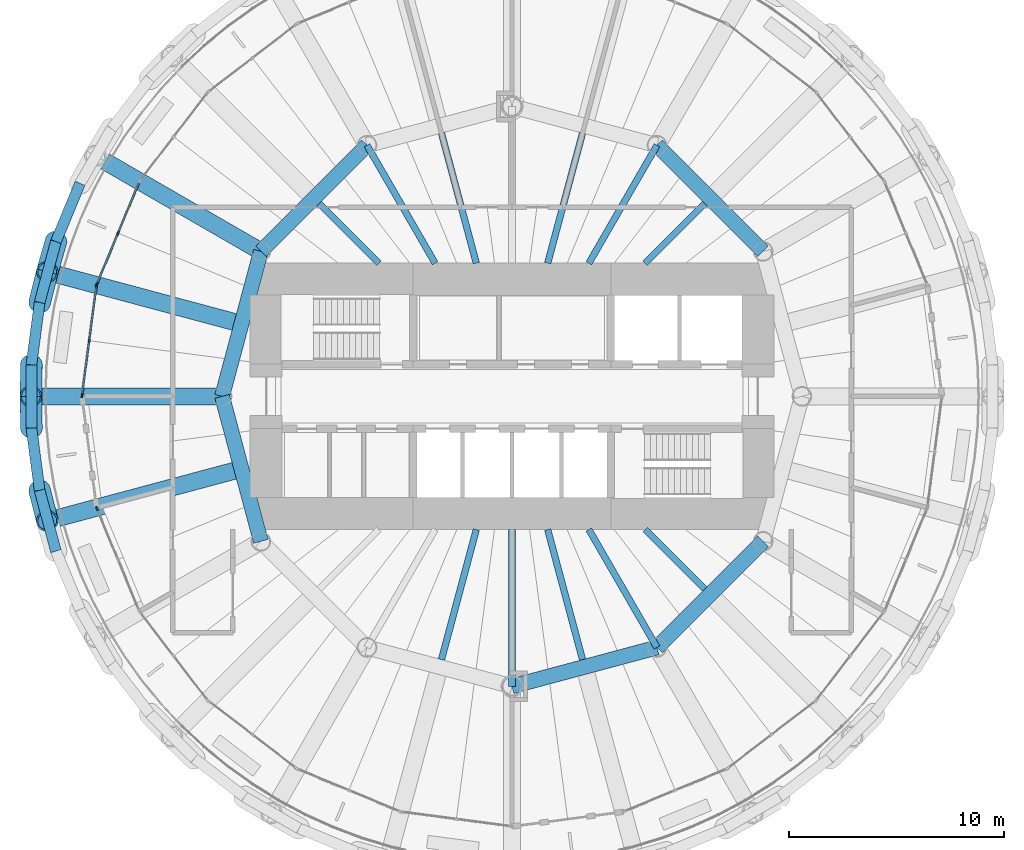
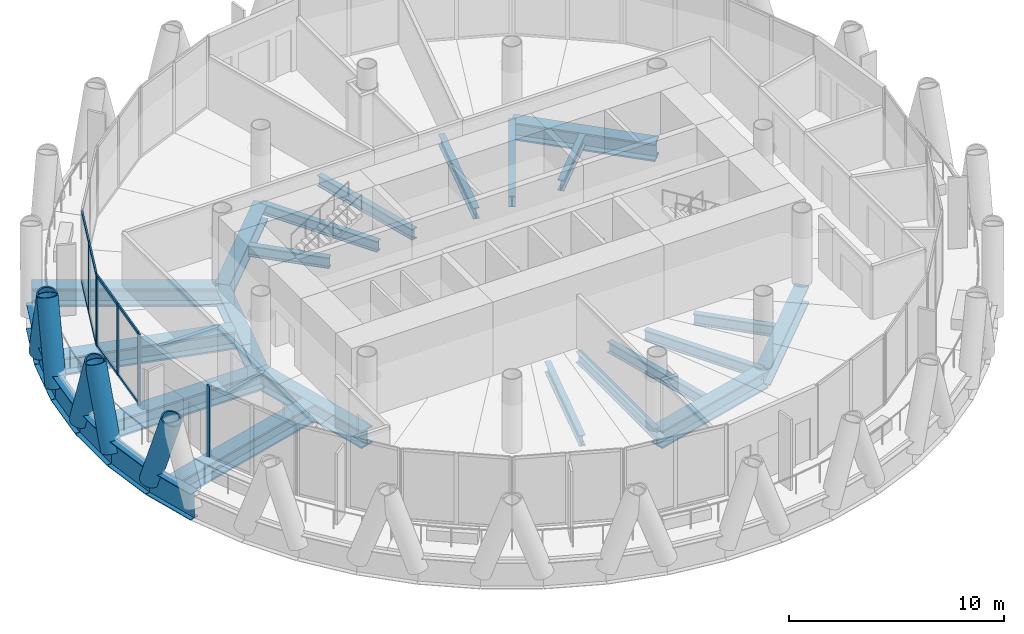
# One storey, part 3 of 14: 27 beams, 19 members, 3 elements without a shape of their own.
"""IFC4 building model written with IfcOpenShell, lengths in metres."""

from ifc_helpers import new_model, si_unit, direction, frame, origin, origin_2d, place, context, subcontext, project, spatial, rectangle, hollow_circle, i_section, extrude, material, material_profile, profile_set, type_object, element, aggregate, save


model = new_model("IFC4")

# Units and contexts
model_context = context("Model", 3, precision=1e-05, world=origin(), true_north=direction((0.0, 1.0)))
body_context = subcontext(model_context, "Body", "Model", "MODEL_VIEW")
ifc_project = project(units=[si_unit("LENGTHUNIT", "METRE"), si_unit("AREAUNIT", "SQUARE_METRE"), si_unit("VOLUMEUNIT", "CUBIC_METRE"), si_unit("PLANEANGLEUNIT", "RADIAN"), si_unit("MASSUNIT", "GRAM", prefix="KILO")], contexts=[model_context])

# Site, building, storey
site_placement = place(None, origin())
site = spatial("IfcSite", under=ifc_project, at=site_placement, CompositionType="ELEMENT")
building_placement = place(site_placement, origin())
building = spatial("IfcBuilding", under=site, at=building_placement, Name="Qaws Media Tower", CompositionType="ELEMENT")
storey_placement = place(building_placement, frame((0.0, 0.0, 240.199951171875)))
storey = spatial("IfcBuildingStorey", under=building, at=storey_placement, Name="L55", CompositionType="ELEMENT", Elevation=240.199951171875)

# Curtain wall, members
ifc_material_1 = material(Name="Aluminium and clear glass", Category="aluminium")
curtain_wall_type = type_object("IfcCurtainWallType", Name="Unitised curtain wall CW-C", PredefinedType="NOTDEFINED", material=ifc_material_1)
curtain_wall_1_placement = place(storey_placement, origin())
curtain_wall_1 = element("IfcCurtainWall", 1, at=curtain_wall_1_placement, inside=storey, type_object=curtain_wall_type, Name="CWC curtain wall L55-11", PredefinedType="NOTDEFINED")
ifc_material_2 = material(Name="Aluminium mullion", Category="aluminium")
ifc_material_profile_1 = material_profile(ifc_material_2, rectangle(XDim=0.080078125, YDim=0.199951171875, at=origin_2d()), Name="80x200")
ifc_profile_set_1 = profile_set([ifc_material_profile_1], Name="Aluminium mullion")
member_type_1 = type_object("IfcMemberType", Name="Curtain wall mullion 80x200", PredefinedType="MULLION", material=ifc_profile_set_1)
member_1_placement = place(storey_placement, frame((41.657470703125, 57.59765625, 0.0), z_axis=(0.0, 0.0, 1.0), x_axis=(0.923879540446, -0.382683413209, 0.0)))
member_1 = element("IfcMember", 2, at=member_1_placement, type_object=member_type_1, Name="CWC mullion 2", PredefinedType="MULLION", context=body_context, shape_type="SweptSolid", body=[
    extrude(rectangle(XDim=0.080078125, YDim=0.199951171875, at=origin_2d()), origin(), (0.0, 0.0, 1.0), 4.0400390625),
])
member_2_placement = place(storey_placement, frame((40.672607421875, 55.2197265625, 0.0), z_axis=(0.0, 0.0, 1.0), x_axis=(0.923879540446, -0.382683413209, 0.0)))
member_2 = element("IfcMember", 3, at=member_2_placement, type_object=member_type_1, Name="CWC mullion 3", PredefinedType="MULLION", context=body_context, shape_type="SweptSolid", body=[
    extrude(rectangle(XDim=0.080078125, YDim=0.199951171875, at=origin_2d()), origin(), (0.0, 0.0, 1.0), 4.0400390625),
])

curtain_wall_2_placement = place(storey_placement, origin())
curtain_wall_2 = element("IfcCurtainWall", 4, at=curtain_wall_2_placement, inside=storey, type_object=curtain_wall_type, Name="CWC curtain wall L55-12", PredefinedType="NOTDEFINED")
member_3_placement = place(storey_placement, frame((40.652099609375, 55.143310546875, 0.0), z_axis=(0.0, 0.0, 1.0), x_axis=(0.991444868274, -0.130526139806, 0.0)))
member_3 = element("IfcMember", 5, at=member_3_placement, type_object=member_type_1, Name="CWC mullion 1", PredefinedType="MULLION", context=body_context, shape_type="SweptSolid", body=[
    extrude(rectangle(XDim=0.080078125, YDim=0.199951171875, at=origin_2d()), origin(), (0.0, 0.0, 1.0), 4.0400390625),
])
member_4_placement = place(storey_placement, frame((40.316162109375, 52.59130859375, 0.0), z_axis=(0.0, 0.0, 1.0), x_axis=(0.991444868274, -0.130526139806, 0.0)))
member_4 = element("IfcMember", 6, at=member_4_placement, type_object=member_type_1, Name="CWC mullion 2", PredefinedType="MULLION", context=body_context, shape_type="SweptSolid", body=[
    extrude(rectangle(XDim=0.080078125, YDim=0.199951171875, at=origin_2d()), origin(), (0.0, 0.0, 1.0), 4.0400390625),
])
member_5_placement = place(storey_placement, frame((39.980224609375, 50.03955078125, 0.0), z_axis=(0.0, 0.0, 1.0), x_axis=(0.991444868274, -0.130526139806, 0.0)))
member_5 = element("IfcMember", 7, at=member_5_placement, type_object=member_type_1, Name="CWC mullion 3", PredefinedType="MULLION", context=body_context, shape_type="SweptSolid", body=[
    extrude(rectangle(XDim=0.080078125, YDim=0.199951171875, at=origin_2d()), origin(), (0.0, 0.0, 1.0), 4.0400390625),
])

# Curtain wall, member
curtain_wall_3_placement = place(storey_placement, origin())
curtain_wall_3 = element("IfcCurtainWall", 8, at=curtain_wall_3_placement, inside=storey, type_object=curtain_wall_type, Name="CWC curtain wall L55-14", PredefinedType="NOTDEFINED")
member_6_placement = place(storey_placement, frame((40.672607421875, 44.7802734375, 0.0), z_axis=(0.0, 0.0, 1.0), x_axis=(0.923879540446, 0.382683413209, 0.0)))
member_6 = element("IfcMember", 9, at=member_6_placement, type_object=member_type_1, Name="CWC mullion 1", PredefinedType="MULLION", context=body_context, shape_type="SweptSolid", body=[
    extrude(rectangle(XDim=0.080078125, YDim=0.199951171875, at=origin_2d()), origin(), (0.0, 0.0, 1.0), 4.0400390625),
])
aggregate(curtain_wall_3, [member_6])

# Member
ifc_material_3 = material(Name="Aluminium transom", Category="aluminium")
ifc_material_profile_2 = material_profile(ifc_material_3, rectangle(XDim=0.080078125, YDim=0.159912109375, at=origin_2d()), Name="80x160")
ifc_profile_set_2 = profile_set([ifc_material_profile_2], Name="Aluminium transom")
member_type_2 = type_object("IfcMemberType", Name="Curtain wall transom 80x160", PredefinedType="USERDEFINED", material=ifc_profile_set_2)
member_7_placement = place(storey_placement, frame((42.627197265625, 59.9384765625, 0.0400390625), z_axis=(-0.382688998608, -0.923877226878, 0.0), x_axis=(0.923877226878, -0.382688998608, 0.0)))
member_7 = element("IfcMember", 10, at=member_7_placement, type_object=member_type_2, Name="CWC transom 1.1", ObjectType="TRANSOM", PredefinedType="USERDEFINED", context=body_context, shape_type="SweptSolid", body=[
    extrude(rectangle(XDim=0.080078125, YDim=0.159912109375, at=origin_2d()), origin(), (0.0, 0.0, 1.0), 2.493896484375),
])

member_8_placement = place(storey_placement, frame((42.627197265625, 59.9384765625, 4.0), z_axis=(-0.382688998608, -0.923877226878, 0.0), x_axis=(0.923877226878, -0.382688998608, 0.0)))
member_8 = element("IfcMember", 11, at=member_8_placement, type_object=member_type_2, Name="CWC transom 1.2", ObjectType="TRANSOM", PredefinedType="USERDEFINED", context=body_context, shape_type="SweptSolid", body=[
    extrude(rectangle(XDim=0.080078125, YDim=0.159912109375, at=origin_2d()), origin(), (0.0, 0.0, 1.0), 2.493896484375),
])

member_9_placement = place(storey_placement, frame((41.642333984375, 57.560791015625, 0.0400390625), z_axis=(-0.382688998608, -0.923877226878, 0.0), x_axis=(0.923877226878, -0.382688998608, 0.0)))
member_9 = element("IfcMember", 12, at=member_9_placement, type_object=member_type_2, Name="CWC transom 2.1", ObjectType="TRANSOM", PredefinedType="USERDEFINED", context=body_context, shape_type="SweptSolid", body=[
    extrude(rectangle(XDim=0.080078125, YDim=0.159912109375, at=origin_2d()), origin(), (0.0, 0.0, 1.0), 2.493896484375),
])

member_10_placement = place(storey_placement, frame((41.642333984375, 57.560791015625, 4.0), z_axis=(-0.382688998608, -0.923877226878, 0.0), x_axis=(0.923877226878, -0.382688998608, 0.0)))
member_10 = element("IfcMember", 13, at=member_10_placement, type_object=member_type_2, Name="CWC transom 2.2", ObjectType="TRANSOM", PredefinedType="USERDEFINED", context=body_context, shape_type="SweptSolid", body=[
    extrude(rectangle(XDim=0.080078125, YDim=0.159912109375, at=origin_2d()), origin(), (0.0, 0.0, 1.0), 2.493896484375),
])

aggregate(curtain_wall_1, [member_1, member_2, member_7, member_8, member_9, member_10])

member_11_placement = place(storey_placement, frame((40.64697265625, 55.103515625, 0.0400390625), z_axis=(-0.13059886233, -0.991435291463, 0.0), x_axis=(0.991435291463, -0.13059886233, 0.0)))
member_11 = element("IfcMember", 14, at=member_11_placement, type_object=member_type_2, Name="CWC transom 1.1", ObjectType="TRANSOM", PredefinedType="USERDEFINED", context=body_context, shape_type="SweptSolid", body=[
    extrude(rectangle(XDim=0.080078125, YDim=0.159912109375, at=origin_2d()), origin(), (0.0, 0.0, 1.0), 2.49365234375),
])

member_12_placement = place(storey_placement, frame((40.64697265625, 55.103515625, 4.0), z_axis=(-0.13059886233, -0.991435291463, 0.0), x_axis=(0.991435291463, -0.13059886233, 0.0)))
member_12 = element("IfcMember", 15, at=member_12_placement, type_object=member_type_2, Name="CWC transom 1.2", ObjectType="TRANSOM", PredefinedType="USERDEFINED", context=body_context, shape_type="SweptSolid", body=[
    extrude(rectangle(XDim=0.080078125, YDim=0.159912109375, at=origin_2d()), origin(), (0.0, 0.0, 1.0), 2.49365234375),
])

member_13_placement = place(storey_placement, frame((40.31103515625, 52.5517578125, 0.0400390625), z_axis=(-0.13059886233, -0.991435291463, 0.0), x_axis=(0.991435291463, -0.13059886233, 0.0)))
member_13 = element("IfcMember", 16, at=member_13_placement, type_object=member_type_2, Name="CWC transom 2.1", ObjectType="TRANSOM", PredefinedType="USERDEFINED", context=body_context, shape_type="SweptSolid", body=[
    extrude(rectangle(XDim=0.080078125, YDim=0.159912109375, at=origin_2d()), origin(), (0.0, 0.0, 1.0), 2.49365234375),
])

member_14_placement = place(storey_placement, frame((40.31103515625, 52.5517578125, 4.0), z_axis=(-0.13059886233, -0.991435291463, 0.0), x_axis=(0.991435291463, -0.13059886233, 0.0)))
member_14 = element("IfcMember", 17, at=member_14_placement, type_object=member_type_2, Name="CWC transom 2.2", ObjectType="TRANSOM", PredefinedType="USERDEFINED", context=body_context, shape_type="SweptSolid", body=[
    extrude(rectangle(XDim=0.080078125, YDim=0.159912109375, at=origin_2d()), origin(), (0.0, 0.0, 1.0), 2.49365234375),
])

aggregate(curtain_wall_2, [member_3, member_4, member_5, member_11, member_12, member_13, member_14])

# Members
ifc_material_4 = material(Name="Steel S460", Category="steel")
ifc_material_profile_3 = material_profile(ifc_material_4, hollow_circle(Radius=0.508056640625, WallThickness=0.070068359375, at=origin_2d()), Name="CHS 1016x70")
ifc_profile_set_3 = profile_set([ifc_material_profile_3], Name="Steel S460")
member_type_3 = type_object("IfcMemberType", Name="Diagrid member CHS 1016x70", PredefinedType="USERDEFINED", material=ifc_profile_set_3)
for number, where, z_axis, x_axis, name in (
    (18, (38.76513671875, 57.208251953125, -0.909912109375), (-0.090330842565, -0.317090892068, 0.944083526521), (0.961737213198, -0.273973598637, 0.0), "DG3 diagrid L55 A11"),
    (19, (37.623046875, 51.466552734375, -0.909912109375), (-0.005158639812, -0.329659035617, 0.944085964662), (0.999877586111, -0.015646494605, 0.0), "DG3 diagrid L55 A12"),
    (20, (38.005859375, 54.375, -0.909912109375), (0.080342546036, 0.319778699284, 0.944079794711), (-0.969857904785, 0.243671181158, 0.0), "DG3 diagrid L55 B12"),
    (21, (38.005859375, 45.625, -0.909912109375), (0.080342546036, -0.319778699284, 0.944079794711), (0.969857904785, 0.243671181158, 0.0), "DG3 diagrid L55 A13"),
    (22, (37.623046875, 48.533447265625, -0.909912109375), (-0.005158639812, 0.329659035617, 0.944085964662), (-0.999877586111, -0.015646494605, 0.0), "DG3 diagrid L55 B13"),
):
    element("IfcMember", number, at=place(storey_placement, frame(where, z_axis=z_axis, x_axis=x_axis)), inside=storey, type_object=member_type_3, Name=name, ObjectType="DIAGRID", PredefinedType="USERDEFINED", context=body_context, shape_type="SweptSolid", body=[
        extrude(hollow_circle(Radius=0.508056640625, WallThickness=0.070068359375, at=origin_2d()), origin(), (0.0, 0.0, 1.0), 4.44873046875),
    ])

# Beams
ifc_material_5 = material(Name="Steel S460", Category="steel")
ifc_material_profile_4 = material_profile(ifc_material_5, i_section(OverallWidth=0.5, OverallDepth=1.5, WebThickness=0.02001953125, FlangeThickness=0.0400390625, at=origin_2d()), Name="PG 1500x500")
ifc_profile_set_4 = profile_set([ifc_material_profile_4], Name="Steel S460")
beam_type_1 = type_object("IfcBeamType", Name="Edge ring beam PG 1500x500", PredefinedType="BEAM", material=ifc_profile_set_4)
beam_1_placement = place(storey_placement, frame((39.8876953125, 59.918212890625, -0.909912109375), z_axis=(-0.382699733613, -0.923872780145, 0.0), x_axis=(0.923872780145, -0.382699733613, 0.0)))
element("IfcBeam", 23, at=beam_1_placement, inside=storey, type_object=beam_type_1, Name="RB4 edge ring beam L55-21", PredefinedType="BEAM", context=body_context, shape_type="SweptSolid", body=[
    extrude(i_section(OverallWidth=0.5, OverallDepth=1.5, WebThickness=0.02001953125, FlangeThickness=0.0400390625, at=origin_2d()), origin(), (0.0, 0.0, 1.0), 2.933349609375),
])
beam_2_placement = place(storey_placement, frame((38.76513671875, 57.208251953125, -0.909912109375), z_axis=(-0.258853961327, -0.965916469839, 0.0), x_axis=(0.965916469839, -0.258853961327, 0.0)))
element("IfcBeam", 24, at=beam_2_placement, inside=storey, type_object=beam_type_1, Name="RB4 edge ring beam L55-22", PredefinedType="BEAM", context=body_context, shape_type="SweptSolid", body=[
    extrude(i_section(OverallWidth=0.5, OverallDepth=1.5, WebThickness=0.02001953125, FlangeThickness=0.0400390625, at=origin_2d()), origin(), (0.0, 0.0, 1.0), 2.93310546875),
])
beam_3_placement = place(storey_placement, frame((38.005859375, 54.375, -0.909912109375), z_axis=(-0.130495416349, -0.991448912608, 0.0), x_axis=(0.991448912608, -0.130495416349, 0.0)))
element("IfcBeam", 25, at=beam_3_placement, inside=storey, type_object=beam_type_1, Name="RB4 edge ring beam L55-23", PredefinedType="BEAM", context=body_context, shape_type="SweptSolid", body=[
    extrude(i_section(OverallWidth=0.5, OverallDepth=1.5, WebThickness=0.02001953125, FlangeThickness=0.0400390625, at=origin_2d()), origin(), (0.0, 0.0, 1.0), 2.93359375),
])
beam_4_placement = place(storey_placement, frame((37.623046875, 51.466552734375, -0.909912109375), z_axis=(0.0, -1.0, 0.0), x_axis=(1.0, 0.0, 0.0)))
element("IfcBeam", 26, at=beam_4_placement, inside=storey, type_object=beam_type_1, Name="RB4 edge ring beam L55-24", PredefinedType="BEAM", context=body_context, shape_type="SweptSolid", body=[
    extrude(i_section(OverallWidth=0.5, OverallDepth=1.5, WebThickness=0.02001953125, FlangeThickness=0.0400390625, at=origin_2d()), origin(), (0.0, 0.0, 1.0), 2.93310546875),
])
beam_5_placement = place(storey_placement, frame((37.623046875, 48.533447265625, -0.909912109375), z_axis=(0.130495416349, -0.991448912608, 0.0), x_axis=(0.991448912608, 0.130495416349, 0.0)))
element("IfcBeam", 27, at=beam_5_placement, inside=storey, type_object=beam_type_1, Name="RB4 edge ring beam L55-25", PredefinedType="BEAM", context=body_context, shape_type="SweptSolid", body=[
    extrude(i_section(OverallWidth=0.5, OverallDepth=1.5, WebThickness=0.02001953125, FlangeThickness=0.0400390625, at=origin_2d()), origin(), (0.0, 0.0, 1.0), 2.93359375),
])
beam_6_placement = place(storey_placement, frame((38.005859375, 45.625, -0.909912109375), z_axis=(0.258853961327, -0.965916469839, 0.0), x_axis=(0.965916469839, 0.258853961327, 0.0)))
element("IfcBeam", 28, at=beam_6_placement, inside=storey, type_object=beam_type_1, Name="RB4 edge ring beam L55-26", PredefinedType="BEAM", context=body_context, shape_type="SweptSolid", body=[
    extrude(i_section(OverallWidth=0.5, OverallDepth=1.5, WebThickness=0.02001953125, FlangeThickness=0.0400390625, at=origin_2d()), origin(), (0.0, 0.0, 1.0), 2.93310546875),
])
ifc_material_6 = material(Name="Steel S460", Category="steel")
ifc_material_profile_5 = material_profile(ifc_material_6, i_section(OverallWidth=0.699951171875, OverallDepth=1.0, WebThickness=0.034912109375, FlangeThickness=0.090087890625, at=origin_2d()), Name="PG 1000x700")
ifc_profile_set_5 = profile_set([ifc_material_profile_5], Name="Steel S460")
beam_type_2 = type_object("IfcBeamType", Name="Inner ring girder PG 1000x700", PredefinedType="BEAM", material=ifc_profile_set_5)
for number, where, z_axis, x_axis, name in (
    (29, (71.69140625, 56.75, -0.659912109375), (-0.707106781187, 0.707106781187, 0.0), (-0.707106781187, -0.707106781187, 0.0), "B3 inner ring beam L55 I02-I03"),
    (30, (53.25, 61.69140625, -0.659912109375), (-0.707106781187, -0.707106781187, 0.0), (0.707106781187, -0.707106781187, 0.0), "B3 inner ring beam L55 I05-I06"),
):
    element("IfcBeam", number, at=place(storey_placement, frame(where, z_axis=z_axis, x_axis=x_axis)), inside=storey, type_object=beam_type_2, Name=name, PredefinedType="BEAM", context=body_context, shape_type="SweptSolid", body=[
        extrude(i_section(OverallWidth=0.699951171875, OverallDepth=1.0, WebThickness=0.034912109375, FlangeThickness=0.090087890625, at=origin_2d()), origin(), (0.0, 0.0, 1.0), 6.98828125),
    ])
for number, where, z_axis, x_axis, name in (
    (31, (48.30859375, 56.75, -0.659912109375), (-0.258810593767, -0.965928090778, 0.0), (0.965928090778, -0.258810593767, 0.0), "B3 inner ring beam L55 I06-I07"),
    (32, (46.5, 50.0, -0.659912109375), (0.258810593767, -0.965928090778, 0.0), (0.965928090778, 0.258810593767, 0.0), "B3 inner ring beam L55 I07-I08"),
    (33, (60.0, 36.5, -0.659912109375), (0.965928090778, 0.258810593767, 0.0), (-0.258810593767, 0.965928090778, 0.0), "B3 inner ring beam L55 I10-I11"),
):
    element("IfcBeam", number, at=place(storey_placement, frame(where, z_axis=z_axis, x_axis=x_axis)), inside=storey, type_object=beam_type_2, Name=name, PredefinedType="BEAM", context=body_context, shape_type="SweptSolid", body=[
        extrude(i_section(OverallWidth=0.699951171875, OverallDepth=1.0, WebThickness=0.034912109375, FlangeThickness=0.090087890625, at=origin_2d()), origin(), (0.0, 0.0, 1.0), 6.988037109375),
    ])
beam_7_placement = place(storey_placement, frame((66.75, 38.30859375, -0.659912109375), z_axis=(0.707106781187, 0.707106781187, 0.0), x_axis=(-0.707106781187, 0.707106781187, 0.0)))
element("IfcBeam", 34, at=beam_7_placement, inside=storey, type_object=beam_type_2, Name="B3 inner ring beam L55 I11-I12", PredefinedType="BEAM", context=body_context, shape_type="SweptSolid", body=[
    extrude(i_section(OverallWidth=0.699951171875, OverallDepth=1.0, WebThickness=0.034912109375, FlangeThickness=0.090087890625, at=origin_2d()), origin(), (0.0, 0.0, 1.0), 6.98828125),
])
ifc_material_7 = material(Name="Steel S355", Category="steel")
ifc_material_profile_6 = material_profile(ifc_material_7, i_section(OverallWidth=0.304931640625, OverallDepth=0.6201171875, WebThickness=0.02099609375, FlangeThickness=0.0400390625, FilletRadius=0.027099609375, at=origin_2d()), Name="HE 600 M")
ifc_profile_set_6 = profile_set([ifc_material_profile_6], Name="Steel S355")
beam_type_3 = type_object("IfcBeamType", Name="Radial beam HE 600 M, core side", PredefinedType="BEAM", material=ifc_profile_set_6)
beam_8_placement = place(storey_placement, frame((66.199951171875, 56.199951171875, -0.469970703125), z_axis=(0.707106781187, 0.707106781187, 0.0), x_axis=(-0.707106781187, 0.707106781187, 0.0)))
element("IfcBeam", 35, at=beam_8_placement, inside=storey, type_object=beam_type_3, Name="B2 radial beam L55 04", PredefinedType="BEAM", context=body_context, shape_type="SweptSolid", body=[
    extrude(i_section(OverallWidth=0.304931640625, OverallDepth=0.6201171875, WebThickness=0.02099609375, FlangeThickness=0.0400390625, FilletRadius=0.027099609375, at=origin_2d()), origin(), (0.0, 0.0, 1.0), 3.921875),
])
beam_9_placement = place(storey_placement, frame((63.57958984375, 56.199951171875, -0.469970703125), z_axis=(0.499990193304, 0.866031065609, 0.0), x_axis=(-0.866031065609, 0.499990193304, 0.0)))
element("IfcBeam", 36, at=beam_9_placement, inside=storey, type_object=beam_type_3, Name="B2 radial beam L55 05", PredefinedType="BEAM", context=body_context, shape_type="SweptSolid", body=[
    extrude(i_section(OverallWidth=0.304931640625, OverallDepth=0.6201171875, WebThickness=0.02099609375, FlangeThickness=0.0400390625, FilletRadius=0.027099609375, at=origin_2d()), origin(), (0.0, 0.0, 1.0), 6.341064453125),
])
for number, where, z_axis, x_axis, name in (
    (37, (61.661376953125, 56.199951171875, -0.469970703125), (0.258806137559, 0.965929284763, 0.0), (-0.965929284763, 0.258806137559, 0.0), "B2 radial beam L55 06"),
    (38, (58.338623046875, 56.199951171875, -0.469970703125), (-0.258806137559, 0.965929284763, 0.0), (-0.965929284763, -0.258806137559, 0.0), "B2 radial beam L55 08"),
):
    element("IfcBeam", number, at=place(storey_placement, frame(where, z_axis=z_axis, x_axis=x_axis)), inside=storey, type_object=beam_type_3, Name=name, PredefinedType="BEAM", context=body_context, shape_type="SweptSolid", body=[
        extrude(i_section(OverallWidth=0.304931640625, OverallDepth=0.6201171875, WebThickness=0.02099609375, FlangeThickness=0.0400390625, FilletRadius=0.027099609375, at=origin_2d()), origin(), (0.0, 0.0, 1.0), 6.271240234375),
    ])
beam_10_placement = place(storey_placement, frame((56.42041015625, 56.199951171875, -0.469970703125), z_axis=(-0.499990193304, 0.866031065609, 0.0), x_axis=(-0.866031065609, -0.499990193304, 0.0)))
element("IfcBeam", 39, at=beam_10_placement, inside=storey, type_object=beam_type_3, Name="B2 radial beam L55 09", PredefinedType="BEAM", context=body_context, shape_type="SweptSolid", body=[
    extrude(i_section(OverallWidth=0.304931640625, OverallDepth=0.6201171875, WebThickness=0.02099609375, FlangeThickness=0.0400390625, FilletRadius=0.027099609375, at=origin_2d()), origin(), (0.0, 0.0, 1.0), 6.341064453125),
])
beam_11_placement = place(storey_placement, frame((53.800048828125, 56.199951171875, -0.469970703125), z_axis=(-0.707106781187, 0.707106781187, 0.0), x_axis=(-0.707106781187, -0.707106781187, 0.0)))
element("IfcBeam", 40, at=beam_11_placement, inside=storey, type_object=beam_type_3, Name="B2 radial beam L55 10", PredefinedType="BEAM", context=body_context, shape_type="SweptSolid", body=[
    extrude(i_section(OverallWidth=0.304931640625, OverallDepth=0.6201171875, WebThickness=0.02099609375, FlangeThickness=0.0400390625, FilletRadius=0.027099609375, at=origin_2d()), origin(), (0.0, 0.0, 1.0), 3.921875),
])
beam_12_placement = place(storey_placement, frame((58.338623046875, 43.800048828125, -0.469970703125), z_axis=(-0.258806137559, -0.965929284763, 0.0), x_axis=(0.965929284763, -0.258806137559, 0.0)))
element("IfcBeam", 41, at=beam_12_placement, inside=storey, type_object=beam_type_3, Name="B2 radial beam L55 18", PredefinedType="BEAM", context=body_context, shape_type="SweptSolid", body=[
    extrude(i_section(OverallWidth=0.304931640625, OverallDepth=0.6201171875, WebThickness=0.02099609375, FlangeThickness=0.0400390625, FilletRadius=0.027099609375, at=origin_2d()), origin(), (0.0, 0.0, 1.0), 6.271240234375),
])
beam_13_placement = place(storey_placement, frame((60.0, 43.800048828125, -0.469970703125), z_axis=(0.0, -1.0, 0.0), x_axis=(1.0, 0.0, 0.0)))
element("IfcBeam", 42, at=beam_13_placement, inside=storey, type_object=beam_type_3, Name="B2 radial beam L55 19", PredefinedType="BEAM", context=body_context, shape_type="SweptSolid", body=[
    extrude(i_section(OverallWidth=0.304931640625, OverallDepth=0.6201171875, WebThickness=0.02099609375, FlangeThickness=0.0400390625, FilletRadius=0.027099609375, at=origin_2d()), origin(), (0.0, 0.0, 1.0), 7.300048828125),
])
beam_14_placement = place(storey_placement, frame((61.661376953125, 43.800048828125, -0.469970703125), z_axis=(0.258806137559, -0.965929284763, 0.0), x_axis=(0.965929284763, 0.258806137559, 0.0)))
element("IfcBeam", 43, at=beam_14_placement, inside=storey, type_object=beam_type_3, Name="B2 radial beam L55 20", PredefinedType="BEAM", context=body_context, shape_type="SweptSolid", body=[
    extrude(i_section(OverallWidth=0.304931640625, OverallDepth=0.6201171875, WebThickness=0.02099609375, FlangeThickness=0.0400390625, FilletRadius=0.027099609375, at=origin_2d()), origin(), (0.0, 0.0, 1.0), 6.271240234375),
])
beam_15_placement = place(storey_placement, frame((63.57958984375, 43.800048828125, -0.469970703125), z_axis=(0.499990193304, -0.866031065609, 0.0), x_axis=(0.866031065609, 0.499990193304, 0.0)))
element("IfcBeam", 44, at=beam_15_placement, inside=storey, type_object=beam_type_3, Name="B2 radial beam L55 21", PredefinedType="BEAM", context=body_context, shape_type="SweptSolid", body=[
    extrude(i_section(OverallWidth=0.304931640625, OverallDepth=0.6201171875, WebThickness=0.02099609375, FlangeThickness=0.0400390625, FilletRadius=0.027099609375, at=origin_2d()), origin(), (0.0, 0.0, 1.0), 6.341064453125),
])
beam_16_placement = place(storey_placement, frame((66.199951171875, 43.800048828125, -0.469970703125), z_axis=(0.707106781187, -0.707106781187, 0.0), x_axis=(0.707106781187, 0.707106781187, 0.0)))
element("IfcBeam", 45, at=beam_16_placement, inside=storey, type_object=beam_type_3, Name="B2 radial beam L55 22", PredefinedType="BEAM", context=body_context, shape_type="SweptSolid", body=[
    extrude(i_section(OverallWidth=0.304931640625, OverallDepth=0.6201171875, WebThickness=0.02099609375, FlangeThickness=0.0400390625, FilletRadius=0.027099609375, at=origin_2d()), origin(), (0.0, 0.0, 1.0), 3.921875),
])
ifc_material_8 = material(Name="Steel S460", Category="steel")
ifc_material_profile_7 = material_profile(ifc_material_8, i_section(OverallWidth=0.800048828125, OverallDepth=1.0, WebThickness=0.0400390625, FlangeThickness=0.10009765625, at=origin_2d()), Name="PG 1000x800")
ifc_profile_set_7 = profile_set([ifc_material_profile_7], Name="Steel S460")
beam_type_4 = type_object("IfcBeamType", Name="Radial girder PG 1000x800", PredefinedType="BEAM", material=ifc_profile_set_7)
beam_17_placement = place(storey_placement, frame((48.30859375, 56.75, -0.659912109375), z_axis=(-0.866027578666, 0.499996232975, 0.0), x_axis=(-0.499996232975, -0.866027578666, 0.0)))
element("IfcBeam", 46, at=beam_17_placement, inside=storey, type_object=beam_type_4, Name="B1 radial beam L55 11", PredefinedType="BEAM", context=body_context, shape_type="SweptSolid", body=[
    extrude(i_section(OverallWidth=0.800048828125, OverallDepth=1.0, WebThickness=0.0400390625, FlangeThickness=0.10009765625, at=origin_2d()), origin(), (0.0, 0.0, 1.0), 8.876953125),
])
beam_18_placement = place(storey_placement, frame((47.066162109375, 53.465576171875, -0.659912109375), z_axis=(-0.965927194687, 0.25881393812, 0.0), x_axis=(-0.25881393812, -0.965927194687, 0.0)))
element("IfcBeam", 47, at=beam_18_placement, inside=storey, type_object=beam_type_4, Name="B1 radial beam L55 12", PredefinedType="BEAM", context=body_context, shape_type="SweptSolid", body=[
    extrude(i_section(OverallWidth=0.800048828125, OverallDepth=1.0, WebThickness=0.0400390625, FlangeThickness=0.10009765625, at=origin_2d()), origin(), (0.0, 0.0, 1.0), 8.98681640625),
])
beam_19_placement = place(storey_placement, frame((46.5, 50.0, -0.659912109375), z_axis=(-1.0, 0.0, 0.0), x_axis=(0.0, -1.0, 0.0)))
element("IfcBeam", 48, at=beam_19_placement, inside=storey, type_object=beam_type_4, Name="B1 radial beam L55 13", PredefinedType="BEAM", context=body_context, shape_type="SweptSolid", body=[
    extrude(i_section(OverallWidth=0.800048828125, OverallDepth=1.0, WebThickness=0.0400390625, FlangeThickness=0.10009765625, at=origin_2d()), origin(), (0.0, 0.0, 1.0), 8.876953125),
])
beam_20_placement = place(storey_placement, frame((47.066162109375, 46.534423828125, -0.659912109375), z_axis=(-0.965927194687, -0.25881393812, 0.0), x_axis=(0.25881393812, -0.965927194687, 0.0)))
element("IfcBeam", 49, at=beam_20_placement, inside=storey, type_object=beam_type_4, Name="B1 radial beam L55 14", PredefinedType="BEAM", context=body_context, shape_type="SweptSolid", body=[
    extrude(i_section(OverallWidth=0.800048828125, OverallDepth=1.0, WebThickness=0.0400390625, FlangeThickness=0.10009765625, at=origin_2d()), origin(), (0.0, 0.0, 1.0), 8.98681640625),
])

save(model, "model.ifc")
